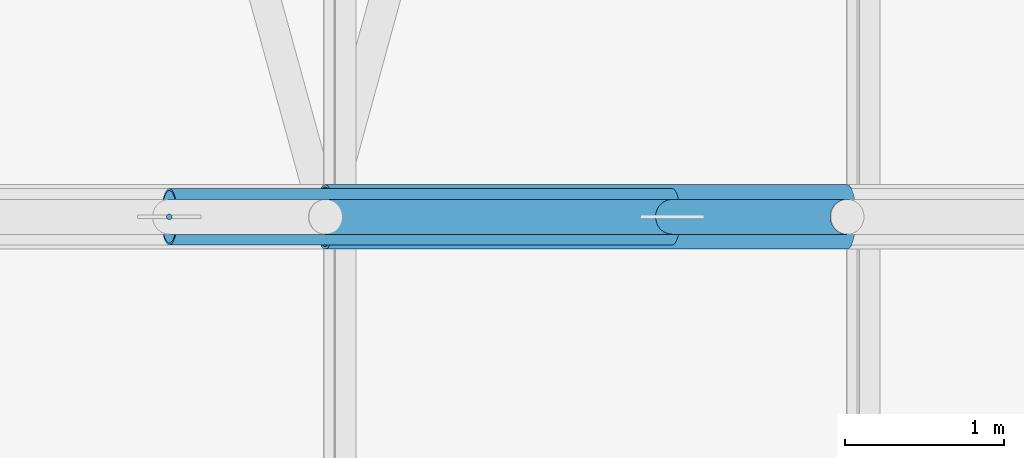
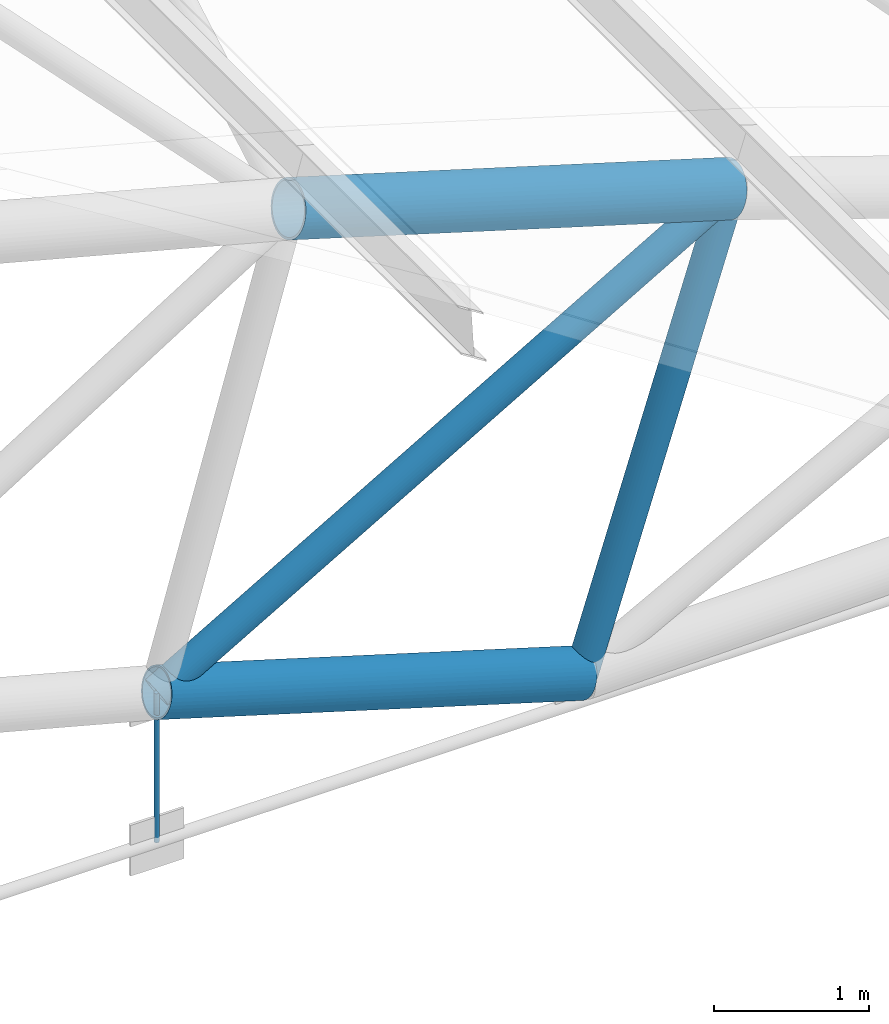
# One storey, part 101 of 321: 5 members.
"""IFC4 building model written with IfcOpenShell, lengths in metres."""

from ifc_helpers import new_model, si_unit, direction, frame, origin, origin_2d, place, context, subcontext, project, spatial, circle, hollow_circle, extrude, material, material_profile, profile_set, type_object, element, save


model = new_model("IFC4")

# Units and contexts
model_context = context("Model", 3, precision=1e-05, world=origin(), true_north=direction((0.0, 1.0)))
body_context = subcontext(model_context, "Body", "Model", "MODEL_VIEW")
ifc_project = project(units=[si_unit("LENGTHUNIT", "METRE"), si_unit("AREAUNIT", "SQUARE_METRE"), si_unit("VOLUMEUNIT", "CUBIC_METRE"), si_unit("PLANEANGLEUNIT", "RADIAN"), si_unit("MASSUNIT", "GRAM", prefix="KILO")], contexts=[model_context])

# Site, building, storey
site_placement = place(None, origin())
site = spatial("IfcSite", under=ifc_project, at=site_placement, CompositionType="ELEMENT")
building_placement = place(site_placement, origin())
building = spatial("IfcBuilding", under=site, at=building_placement, Name="Ravi Spectrum Wholesale Market", CompositionType="ELEMENT")
storey_placement = place(building_placement, frame((0.0, 0.0, 10.800048828125)))
storey = spatial("IfcBuildingStorey", under=building, at=storey_placement, Name="L02", CompositionType="ELEMENT", Elevation=10.800048828125)

# Members
ifc_material_1 = material(Name="Steel S355", Category="steel")
ifc_material_profile_1 = material_profile(ifc_material_1, hollow_circle(Radius=0.109619140625, WallThickness=0.008056640625, at=origin_2d()))
ifc_profile_set_1 = profile_set([ifc_material_profile_1], Name="Steel S355")
member_type_1 = type_object("IfcMemberType", Name="CHS 219.1x8 brace", PredefinedType="BRACE", material=ifc_profile_set_1)
member_1_placement = place(storey_placement, frame((100.380615234375, 102.0, 3.645263671875), z_axis=(-0.865160555252, 0.0, -0.501494978675), x_axis=(0.0, -1.0, 0.0)))
element("IfcMember", 1, at=member_1_placement, inside=storey, type_object=member_type_1, Name="H1-MB-L02-577", PredefinedType="BRACE", context=body_context, shape_type="SweptSolid", body=[
    extrude(hollow_circle(Radius=0.109619140625, WallThickness=0.008056640625, at=origin_2d()), origin(), (0.0, 0.0, 1.0), 4.9296875),
])
ifc_material_2 = material(Name="Steel S355", Category="steel")
ifc_material_profile_2 = material_profile(ifc_material_2, hollow_circle(Radius=0.109619140625, WallThickness=0.008056640625, at=origin_2d()))
ifc_profile_set_2 = profile_set([ifc_material_profile_2], Name="Steel S355")
member_type_2 = type_object("IfcMemberType", Name="CHS 219.1x8 post", PredefinedType="POST", material=ifc_profile_set_2)
member_2_placement = place(storey_placement, frame((100.380615234375, 102.0, 3.645263671875), z_axis=(-0.305506444581, 0.0, -0.952190008517), x_axis=(0.0, -1.0, 0.0)))
element("IfcMember", 2, at=member_2_placement, inside=storey, type_object=member_type_2, Name="H1-MB-L02-555", PredefinedType="POST", context=body_context, shape_type="SweptSolid", body=[
    extrude(hollow_circle(Radius=0.109619140625, WallThickness=0.008056640625, at=origin_2d()), origin(), (0.0, 0.0, 1.0), 3.60009765625),
])
ifc_material_3 = material(Name="Steel S355", Category="steel")
ifc_material_profile_3 = material_profile(ifc_material_3, hollow_circle(Radius=0.177734375, WallThickness=0.012451171875, at=origin_2d()))
ifc_profile_set_3 = profile_set([ifc_material_profile_3], Name="Steel S355")
member_type_3 = type_object("IfcMemberType", Name="CHS 355.6x12.5 chord", PredefinedType="CHORD", material=ifc_profile_set_3)
member_3_placement = place(storey_placement, frame((96.11572265625, 102.0, 1.173095703125), z_axis=(0.957300337613, 0.0, -0.289095250058), x_axis=(0.0, 1.0, 0.0)))
element("IfcMember", 3, at=member_3_placement, inside=storey, type_object=member_type_3, Name="H1-MB-L02-531", PredefinedType="CHORD", context=body_context, shape_type="SweptSolid", body=[
    extrude(hollow_circle(Radius=0.177734375, WallThickness=0.012451171875, at=origin_2d()), origin(), (0.0, 0.0, 1.0), 3.30615234375),
])
ifc_material_4 = material(Name="Steel S355", Category="steel")
ifc_material_profile_4 = material_profile(ifc_material_4, hollow_circle(Radius=0.203125, WallThickness=0.01611328125, at=origin_2d()))
ifc_profile_set_4 = profile_set([ifc_material_profile_4], Name="Steel S355")
member_type_4 = type_object("IfcMemberType", Name="CHS 406.4x16 chord", PredefinedType="CHORD", material=ifc_profile_set_4)
member_4_placement = place(storey_placement, frame((97.096923828125, 102.0, 4.63671875), z_axis=(0.957315448633, 0.0, -0.289045207204), x_axis=(0.0, 1.0, 0.0)))
element("IfcMember", 4, at=member_4_placement, inside=storey, type_object=member_type_4, Name="H1-MB-L02-507", PredefinedType="CHORD", context=body_context, shape_type="SweptSolid", body=[
    extrude(hollow_circle(Radius=0.203125, WallThickness=0.01611328125, at=origin_2d()), origin(), (0.0, 0.0, 1.0), 3.43017578125),
])
ifc_material_5 = material(Name="Steel S355", Category="steel")
ifc_material_profile_5 = material_profile(ifc_material_5, circle(Radius=0.01806640625, at=origin_2d()))
ifc_profile_set_5 = profile_set([ifc_material_profile_5], Name="Steel S355")
member_type_5 = type_object("IfcMemberType", Name="ROD 36 hanger", PredefinedType="STRUT", material=ifc_profile_set_5)
member_5_placement = place(storey_placement, frame((96.11572265625, 102.0, 0.0), z_axis=(0.0, 0.0, 1.0), x_axis=(1.0, 0.0, 0.0)))
element("IfcMember", 5, at=member_5_placement, inside=storey, type_object=member_type_5, Name="H1-MB-L02-585", PredefinedType="STRUT", context=body_context, shape_type="SweptSolid", body=[
    extrude(circle(Radius=0.01806640625, at=origin_2d()), origin(), (0.0, 0.0, 1.0), 1.173095703125),
])

save(model, "model.ifc")
